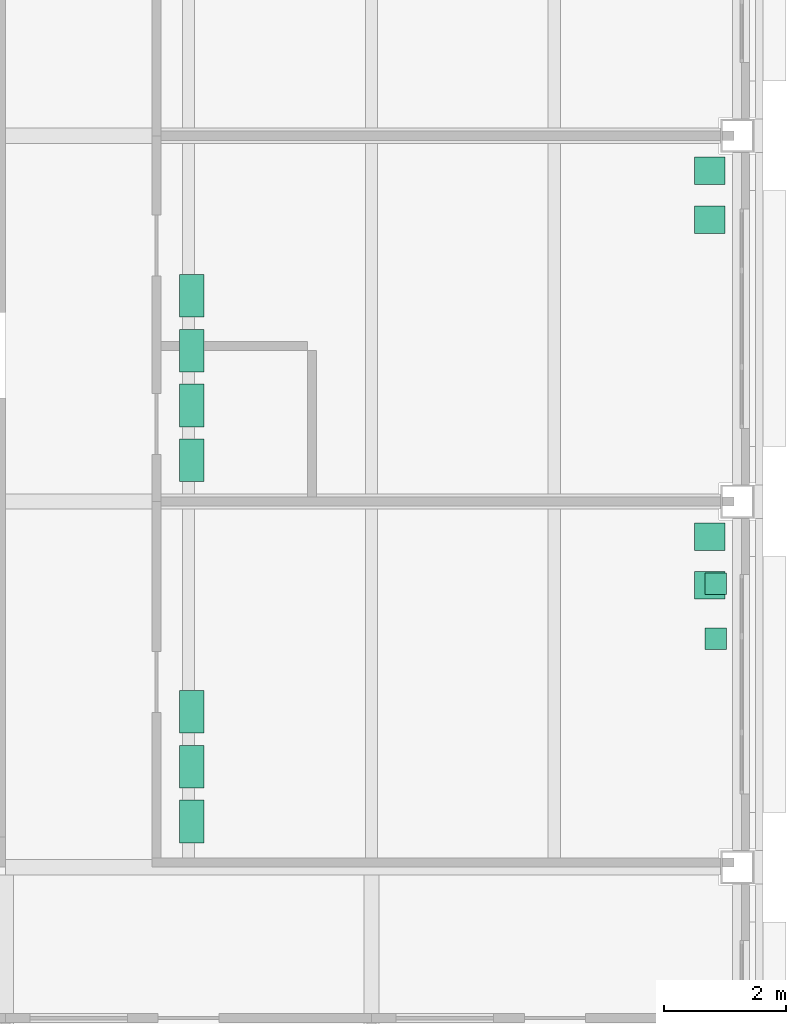
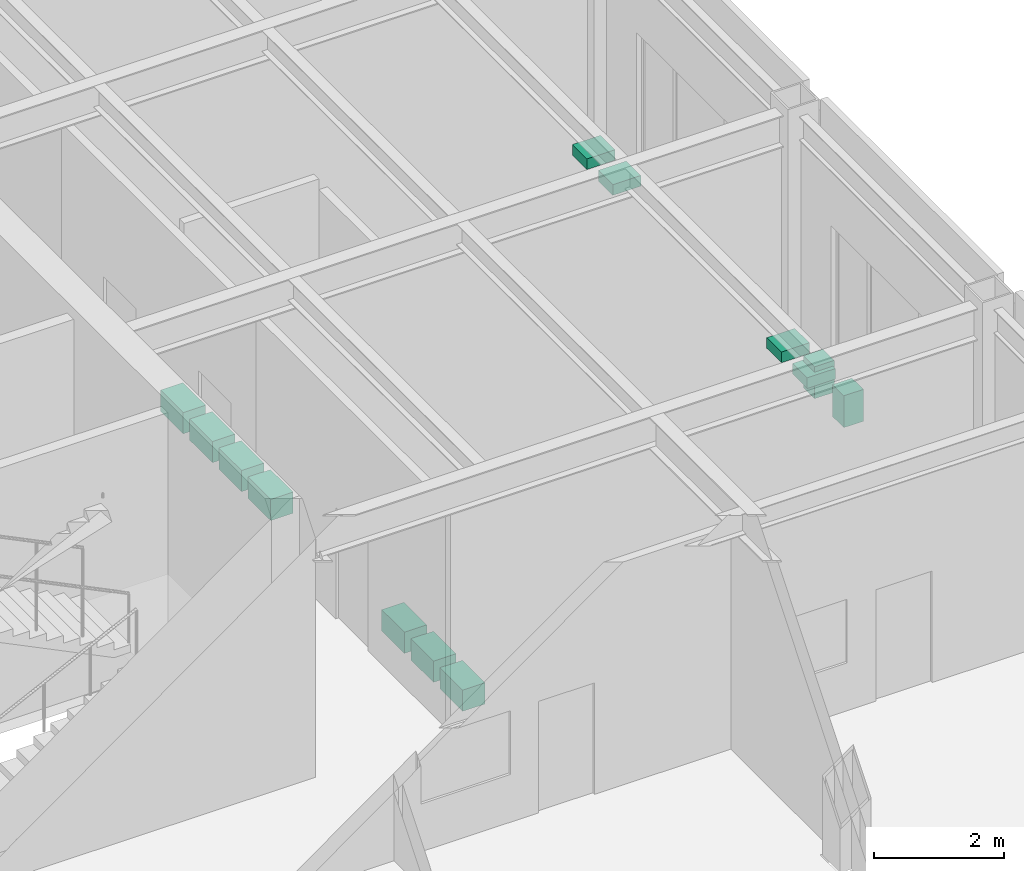
# One storey, part 76 of 76: 13 sanitary terminals.
"""IFC4 building model written with IfcOpenShell, lengths in metres."""

from ifc_helpers import new_model, si_unit, direction, frame, origin, origin_2d, place, context, subcontext, project, spatial, rectangle, extrude, material, type_object, element, save


model = new_model("IFC4")

# Units and contexts
model_context = context("Model", 3, precision=1e-05, world=origin(), true_north=direction((0.0, 1.0)))
body_context = subcontext(model_context, "Body", "Model", "MODEL_VIEW")
ifc_project = project(units=[si_unit("LENGTHUNIT", "METRE"), si_unit("AREAUNIT", "SQUARE_METRE"), si_unit("VOLUMEUNIT", "CUBIC_METRE"), si_unit("PLANEANGLEUNIT", "RADIAN"), si_unit("MASSUNIT", "GRAM", prefix="KILO")], contexts=[model_context])

# Site, building, storey
site_placement = place(None, origin())
site = spatial("IfcSite", under=ifc_project, at=site_placement, CompositionType="ELEMENT")
building_placement = place(site_placement, origin())
building = spatial("IfcBuilding", under=site, at=building_placement, Name="Aravalli Gate Trade Fair Centre", CompositionType="ELEMENT")
storey_placement = place(building_placement, frame((0.0, 0.0, 10.0)))
storey = spatial("IfcBuildingStorey", under=building, at=storey_placement, Name="L02", CompositionType="ELEMENT", Elevation=10.0)

# Sanitary terminals
ifc_material = material(Name="Vitreous china")
sanitary_terminal_type_1 = type_object("IfcSanitaryTerminalType", Name="Wing toilet pan", PredefinedType="TOILETPAN", material=ifc_material)
for number, where, z_axis, x_axis, name in (
    (1, (193.050048828125, 103.75, 0.0), (0.0, 0.0, 1.0), (1.0, 0.0, 0.0), "Wing toilet pan E1.wc1 L02"),
    (2, (193.050048828125, 104.64990234375, 0.0), (0.0, 0.0, 1.0), (1.0, 0.0, 0.0), "Wing toilet pan E1.wc2 L02"),
    (3, (193.050048828125, 105.550048828125, 0.0), (0.0, 0.0, 1.0), (1.0, 0.0, 0.0), "Wing toilet pan E1.wc3 L02"),
    (4, (193.050048828125, 109.675048828125, 0.0), (0.0, 0.0, 1.0), (1.0, 0.0, 0.0), "Wing toilet pan E2.wc1 L02"),
    (5, (193.050048828125, 110.574951171875, 0.0), (0.0, 0.0, 1.0), (1.0, 0.0, 0.0), "Wing toilet pan E2.wc2 L02"),
    (6, (193.050048828125, 111.47509765625, 0.0), (0.0, 0.0, 1.0), (1.0, 0.0, 0.0), "Wing toilet pan E2.wc3 L02"),
    (7, (193.050048828125, 112.375, 0.0), (0.0, 0.0, 1.0), (1.0, 0.0, 0.0), "Wing toilet pan E2.wc4 L02"),
):
    element("IfcSanitaryTerminal", number, at=place(storey_placement, frame(where, z_axis=z_axis, x_axis=x_axis)), inside=storey, type_object=sanitary_terminal_type_1, Name=name, PredefinedType="TOILETPAN", context=body_context, shape_type="SweptSolid", body=[
        extrude(rectangle(XDim=0.39990234375, YDim=0.699951171875, at=origin_2d()), origin(), (0.0, 0.0, 1.0), 0.39990234375),
    ])
sanitary_terminal_type_2 = type_object("IfcSanitaryTerminalType", Name="Wing urinal", PredefinedType="URINAL", material=ifc_material)
for number, where, z_axis, x_axis, name in (
    (8, (201.64990234375, 106.75, 0.39990234375), (0.0, 0.0, 1.0), (1.0, 0.0, 0.0), "Wing urinal E1.ur1 L02"),
    (9, (201.64990234375, 107.64990234375, 0.39990234375), (0.0, 0.0, 1.0), (1.0, 0.0, 0.0), "Wing urinal E1.ur2 L02"),
):
    element("IfcSanitaryTerminal", number, at=place(storey_placement, frame(where, z_axis=z_axis, x_axis=x_axis)), inside=storey, type_object=sanitary_terminal_type_2, Name=name, PredefinedType="URINAL", context=body_context, shape_type="SweptSolid", body=[
        extrude(rectangle(XDim=0.35009765625, YDim=0.35009765625, at=origin_2d()), origin(), (0.0, 0.0, 1.0), 0.60009765625),
    ])
sanitary_terminal_type_3 = type_object("IfcSanitaryTerminalType", Name="Wing wash hand basin", PredefinedType="WASHHANDBASIN", material=ifc_material)
for number, where, z_axis, x_axis, name in (
    (10, (201.550048828125, 108.425048828125, 0.7001953125), (0.0, 0.0, 1.0), (1.0, 0.0, 0.0), "Wing wash hand basin E1.wb1 L02"),
    (11, (201.550048828125, 107.625, 0.7001953125), (0.0, 0.0, 1.0), (1.0, 0.0, 0.0), "Wing wash hand basin E1.wb2 L02"),
    (12, (201.550048828125, 114.425048828125, 0.7001953125), (0.0, 0.0, 1.0), (1.0, 0.0, 0.0), "Wing wash hand basin E2.wb1 L02"),
    (13, (201.550048828125, 113.625, 0.7001953125), (0.0, 0.0, 1.0), (1.0, 0.0, 0.0), "Wing wash hand basin E2.wb2 L02"),
):
    element("IfcSanitaryTerminal", number, at=place(storey_placement, frame(where, z_axis=z_axis, x_axis=x_axis)), inside=storey, type_object=sanitary_terminal_type_3, Name=name, PredefinedType="WASHHANDBASIN", context=body_context, shape_type="SweptSolid", body=[
        extrude(rectangle(XDim=0.5, YDim=0.449951171875, at=origin_2d()), origin(), (0.0, 0.0, 1.0), 0.199951171875),
    ])

save(model, "model.ifc")
